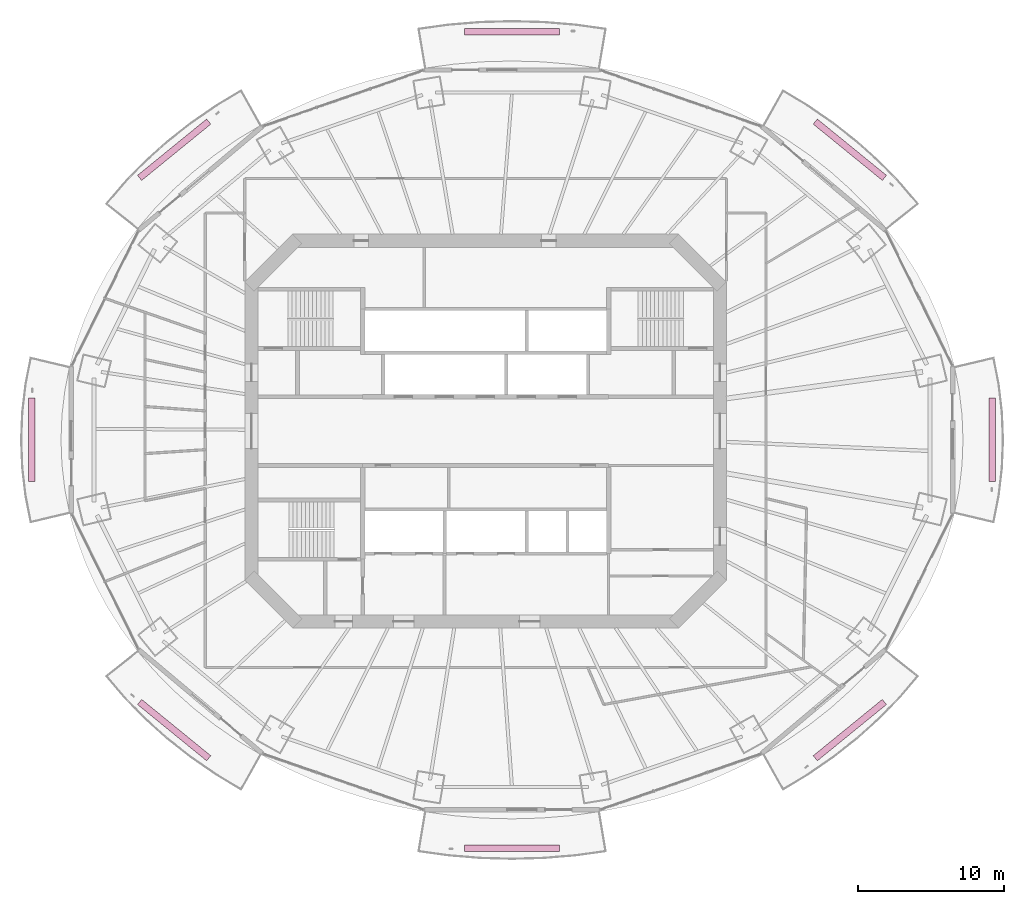
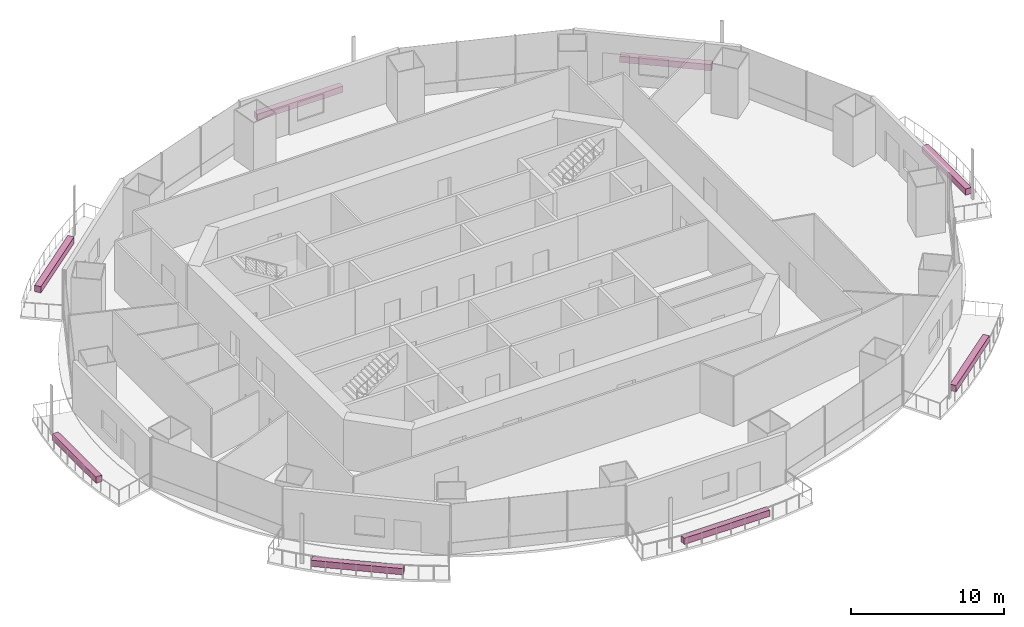
# One storey, part 19 of 19: 8 furnishings.
"""IFC4 building model written with IfcOpenShell, lengths in metres."""

from ifc_helpers import new_model, si_unit, direction, frame, origin, origin_2d, place, context, subcontext, project, spatial, rectangle, extrude, material, type_object, element, save


model = new_model("IFC4")

# Units and contexts
model_context = context("Model", 3, precision=1e-05, world=origin(), true_north=direction((0.0, 1.0)))
body_context = subcontext(model_context, "Body", "Model", "MODEL_VIEW")
ifc_project = project(units=[si_unit("LENGTHUNIT", "METRE"), si_unit("AREAUNIT", "SQUARE_METRE"), si_unit("VOLUMEUNIT", "CUBIC_METRE"), si_unit("PLANEANGLEUNIT", "RADIAN"), si_unit("MASSUNIT", "GRAM", prefix="KILO")], contexts=[model_context])

# Site, building, storey
site_placement = place(None, origin())
site = spatial("IfcSite", under=ifc_project, at=site_placement, CompositionType="ELEMENT")
building_placement = place(site_placement, origin())
building = spatial("IfcBuilding", under=site, at=building_placement, Name="Marenthal Gate Tower", CompositionType="ELEMENT")
storey_placement = place(building_placement, frame((0.0, 0.0, 231.60009765625)))
storey = spatial("IfcBuildingStorey", under=building, at=storey_placement, Name="L51", CompositionType="ELEMENT", Elevation=231.60009765625)

# Furnishings
ifc_material = material(Name="Planting soil and foliage", Category="planting")
furnishing_element_type = type_object("IfcFurnishingElementType", Name="Balcony PLANTER trough", material=ifc_material)
furnishing_1_placement = place(storey_placement, frame((24.87744140625, 19.22314453125, -0.0400390625), z_axis=(0.0, 0.0, 1.0), x_axis=(-0.775431645029, 0.631431519555, 0.0)))
element("IfcFurnishingElement", 1, at=furnishing_1_placement, inside=storey, type_object=furnishing_element_type, Name="Balcony PLANTER L51 bay 2", ObjectType="PLANTER", context=body_context, shape_type="SweptSolid", body=[
    extrude(rectangle(XDim=6.08984375, YDim=0.449951171875, at=origin_2d()), origin(), (0.0, 0.0, 1.0), 0.5),
])
furnishing_2_placement = place(storey_placement, frame((1.800048828125, 27.280029296875, -0.0400390625), z_axis=(0.0, 0.0, 1.0), x_axis=(-1.0, 0.0, 0.0)))
element("IfcFurnishingElement", 2, at=furnishing_2_placement, inside=storey, type_object=furnishing_element_type, Name="Balcony PLANTER L51 bay 4", ObjectType="PLANTER", context=body_context, shape_type="SweptSolid", body=[
    extrude(rectangle(XDim=6.471923828125, YDim=0.449951171875, at=origin_2d()), origin(), (0.0, 0.0, 1.0), 0.5),
])
furnishing_3_placement = place(storey_placement, frame((-21.27734375, 19.22314453125, -0.0400390625), z_axis=(0.0, 0.0, 1.0), x_axis=(-0.775431645029, -0.631431519555, 0.0)))
element("IfcFurnishingElement", 3, at=furnishing_3_placement, inside=storey, type_object=furnishing_element_type, Name="Balcony PLANTER L51 bay 6", ObjectType="PLANTER", context=body_context, shape_type="SweptSolid", body=[
    extrude(rectangle(XDim=6.08984375, YDim=0.449951171875, at=origin_2d()), origin(), (0.0, 0.0, 1.0), 0.5),
])
furnishing_4_placement = place(storey_placement, frame((-31.0029296875, -0.60009765625, -0.0400390625), z_axis=(0.0, 0.0, 1.0), x_axis=(0.0, -1.0, 0.0)))
element("IfcFurnishingElement", 4, at=furnishing_4_placement, inside=storey, type_object=furnishing_element_type, Name="Balcony PLANTER L51 bay 8", ObjectType="PLANTER", context=body_context, shape_type="SweptSolid", body=[
    extrude(rectangle(XDim=5.695068359375, YDim=0.449951171875, at=origin_2d()), origin(), (0.0, 0.0, 1.0), 0.5),
])
furnishing_5_placement = place(storey_placement, frame((-21.27734375, -20.423095703125, -0.0400390625), z_axis=(0.0, 0.0, 1.0), x_axis=(0.775431645029, -0.631431519555, 0.0)))
element("IfcFurnishingElement", 5, at=furnishing_5_placement, inside=storey, type_object=furnishing_element_type, Name="Balcony PLANTER L51 bay 10", ObjectType="PLANTER", context=body_context, shape_type="SweptSolid", body=[
    extrude(rectangle(XDim=6.08984375, YDim=0.449951171875, at=origin_2d()), origin(), (0.0, 0.0, 1.0), 0.5),
])
furnishing_6_placement = place(storey_placement, frame((1.800048828125, -28.47998046875, -0.0400390625), z_axis=(0.0, 0.0, 1.0), x_axis=(1.0, 0.0, 0.0)))
element("IfcFurnishingElement", 6, at=furnishing_6_placement, inside=storey, type_object=furnishing_element_type, Name="Balcony PLANTER L51 bay 12", ObjectType="PLANTER", context=body_context, shape_type="SweptSolid", body=[
    extrude(rectangle(XDim=6.471923828125, YDim=0.449951171875, at=origin_2d()), origin(), (0.0, 0.0, 1.0), 0.5),
])
furnishing_7_placement = place(storey_placement, frame((24.87744140625, -20.423095703125, -0.0400390625), z_axis=(0.0, 0.0, 1.0), x_axis=(0.775431645029, 0.631431519555, 0.0)))
element("IfcFurnishingElement", 7, at=furnishing_7_placement, inside=storey, type_object=furnishing_element_type, Name="Balcony PLANTER L51 bay 14", ObjectType="PLANTER", context=body_context, shape_type="SweptSolid", body=[
    extrude(rectangle(XDim=6.08984375, YDim=0.449951171875, at=origin_2d()), origin(), (0.0, 0.0, 1.0), 0.5),
])
furnishing_8_placement = place(storey_placement, frame((34.60302734375, -0.60009765625, -0.0400390625), z_axis=(0.0, 0.0, 1.0), x_axis=(0.0, 1.0, 0.0)))
element("IfcFurnishingElement", 8, at=furnishing_8_placement, inside=storey, type_object=furnishing_element_type, Name="Balcony PLANTER L51 bay 16", ObjectType="PLANTER", context=body_context, shape_type="SweptSolid", body=[
    extrude(rectangle(XDim=5.695068359375, YDim=0.449951171875, at=origin_2d()), origin(), (0.0, 0.0, 1.0), 0.5),
])

save(model, "model.ifc")
